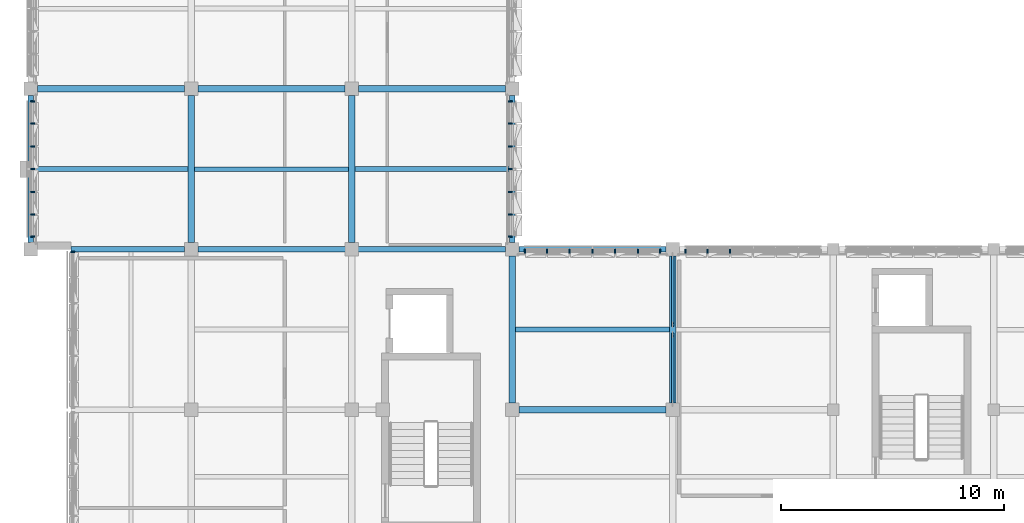
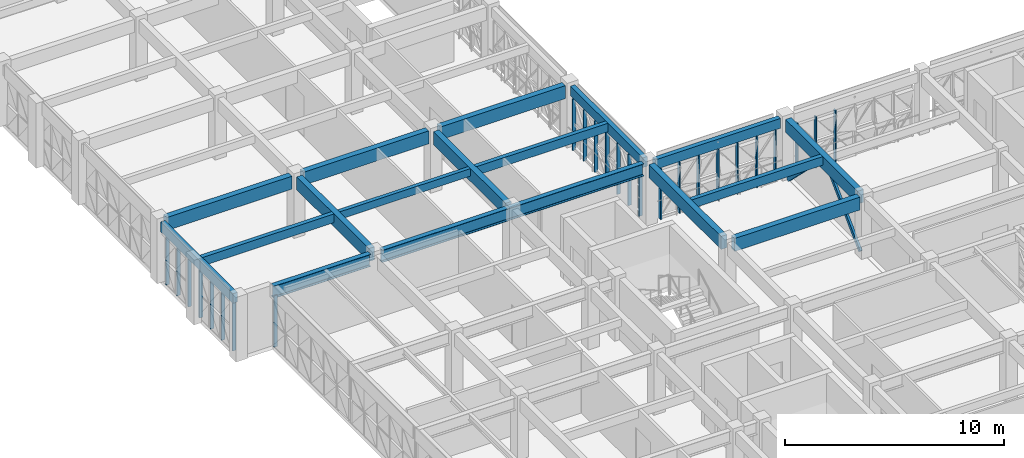
# One storey, part 6 of 74: 27 members, 17 beams, 5 elements without a shape of their own.
"""IFC4 building model written with IfcOpenShell, lengths in metres."""

from ifc_helpers import new_model, si_unit, direction, frame, origin, origin_2d, place, context, subcontext, project, spatial, rectangle, hollow_rectangle, i_section, extrude, material, material_profile, profile_set, type_object, element, aggregate, save


model = new_model("IFC4")

# Units and contexts
model_context = context("Model", 3, precision=1e-05, world=origin(), true_north=direction((0.0, 1.0)))
body_context = subcontext(model_context, "Body", "Model", "MODEL_VIEW")
ifc_project = project(units=[si_unit("LENGTHUNIT", "METRE"), si_unit("AREAUNIT", "SQUARE_METRE"), si_unit("VOLUMEUNIT", "CUBIC_METRE"), si_unit("PLANEANGLEUNIT", "RADIAN"), si_unit("MASSUNIT", "GRAM", prefix="KILO")], contexts=[model_context])

# Site, building, storey
site_placement = place(None, origin())
site = spatial("IfcSite", under=ifc_project, at=site_placement, CompositionType="ELEMENT")
building_placement = place(site_placement, origin())
building = spatial("IfcBuilding", under=site, at=building_placement, Name="Alvorim Cloister Faculty of Sciences", CompositionType="ELEMENT")
storey_placement = place(building_placement, frame((0.0, 0.0, 15.75)))
storey = spatial("IfcBuildingStorey", under=building, at=storey_placement, Name="L04", CompositionType="ELEMENT", Elevation=15.75)

# Beams
ifc_material_1 = material(Name="Glulam GL32h", Category="wood")
ifc_material_profile_1 = material_profile(ifc_material_1, rectangle(XDim=0.300048828125, YDim=0.719970703125, at=origin_2d()), Name="GL32-BM-300x720")
ifc_profile_set_1 = profile_set([ifc_material_profile_1], Name="Glulam GL32h")
beam_type_1 = type_object("IfcBeamType", Name="BM-GL-300x720", PredefinedType="BEAM", material=ifc_profile_set_1)
beam_1_placement = place(storey_placement, frame((21.89990234375, 49.199951171875, 3.030029296875), z_axis=(1.0, 0.0, 0.0), x_axis=(0.0, 1.0, 0.0)))
element("IfcBeam", 1, at=beam_1_placement, inside=storey, type_object=beam_type_1, Name="L04 Primary Beam BM-1762", PredefinedType="BEAM", context=body_context, shape_type="SweptSolid", body=[
    extrude(rectangle(XDim=0.300048828125, YDim=0.719970703125, at=origin_2d()), origin(), (0.0, 0.0, 1.0), 6.60009765625),
])
beam_2_placement = place(storey_placement, frame((0.300048828125, 63.60009765625, 3.030029296875), z_axis=(1.0, 0.0, 0.0), x_axis=(0.0, 1.0, 0.0)))
element("IfcBeam", 2, at=beam_2_placement, inside=storey, type_object=beam_type_1, Name="L04 Primary Beam BM-1771", PredefinedType="BEAM", context=body_context, shape_type="SweptSolid", body=[
    extrude(rectangle(XDim=0.300048828125, YDim=0.719970703125, at=origin_2d()), origin(), (0.0, 0.0, 1.0), 6.599853515625),
])
for number, where, z_axis, x_axis, name in (
    (3, (7.5, 63.60009765625, 3.030029296875), (1.0, 0.0, 0.0), (0.0, 1.0, 0.0), "L04 Primary Beam BM-1772"),
    (4, (14.699951171875, 63.60009765625, 3.030029296875), (1.0, 0.0, 0.0), (0.0, 1.0, 0.0), "L04 Primary Beam BM-1773"),
    (5, (7.199951171875, 56.699951171875, 3.030029296875), (0.0, 1.0, 0.0), (-1.0, 0.0, 0.0), "L04 Primary Girder BM-1810"),
    (6, (14.39990234375, 56.699951171875, 3.030029296875), (0.0, 1.0, 0.0), (-1.0, 0.0, 0.0), "L04 Primary Girder BM-1825"),
    (7, (21.60009765625, 49.5, 3.030029296875), (0.0, 1.0, 0.0), (-1.0, 0.0, 0.0), "L04 Primary Girder BM-1839"),
    (8, (28.800048828125, 49.5, 3.030029296875), (0.0, 1.0, 0.0), (-1.0, 0.0, 0.0), "L04 Primary Girder BM-1854"),
):
    element("IfcBeam", number, at=place(storey_placement, frame(where, z_axis=z_axis, x_axis=x_axis)), inside=storey, type_object=beam_type_1, Name=name, PredefinedType="BEAM", context=body_context, shape_type="SweptSolid", body=[
        extrude(rectangle(XDim=0.300048828125, YDim=0.719970703125, at=origin_2d()), origin(), (0.0, 0.0, 1.0), 6.60009765625),
    ])
ifc_material_2 = material(Name="Glulam GL28h", Category="wood")
ifc_material_profile_2 = material_profile(ifc_material_2, rectangle(XDim=0.199951171875, YDim=0.419921875, at=origin_2d()), Name="GL28-JST-200x420")
ifc_profile_set_2 = profile_set([ifc_material_profile_2], Name="Glulam GL28h")
beam_type_2 = type_object("IfcBeamType", Name="BM-JST-GL-200x420", PredefinedType="JOIST", material=ifc_profile_set_2)
beam_3_placement = place(storey_placement, frame((7.35009765625, 60.0, 3.179931640625), z_axis=(1.0, 0.0, 0.0), x_axis=(0.0, 1.0, 0.0)))
element("IfcBeam", 9, at=beam_3_placement, inside=storey, type_object=beam_type_2, Name="L04 Secondary Floor Joist BM-1906", PredefinedType="JOIST", context=body_context, shape_type="SweptSolid", body=[
    extrude(rectangle(XDim=0.199951171875, YDim=0.419921875, at=origin_2d()), origin(), (0.0, 0.0, 1.0), 6.89990234375),
])
ifc_material_profile_3 = material_profile(ifc_material_2, rectangle(XDim=0.219970703125, YDim=0.47998046875, at=origin_2d()), Name="GL28-JST-220x480")
ifc_profile_set_3 = profile_set([ifc_material_profile_3], Name="Glulam GL28h")
beam_type_3 = type_object("IfcBeamType", Name="BM-JST-GL-220x480", PredefinedType="JOIST", material=ifc_profile_set_3)
for number, where, z_axis, x_axis, name in (
    (10, (0.1201171875, 60.0, 3.14990234375), (1.0, 0.0, 0.0), (0.0, 1.0, 0.0), "L04 Secondary Floor Joist BM-1891"),
    (11, (14.550048828125, 60.0, 3.14990234375), (1.0, 0.0, 0.0), (0.0, 1.0, 0.0), "L04 Secondary Floor Joist BM-1915"),
):
    element("IfcBeam", number, at=place(storey_placement, frame(where, z_axis=z_axis, x_axis=x_axis)), inside=storey, type_object=beam_type_3, Name=name, PredefinedType="JOIST", context=body_context, shape_type="SweptSolid", body=[
        extrude(rectangle(XDim=0.219970703125, YDim=0.47998046875, at=origin_2d()), origin(), (0.0, 0.0, 1.0), 6.929931640625),
    ])
beam_4_placement = place(storey_placement, frame((21.75, 52.800048828125, 3.14990234375), z_axis=(1.0, 0.0, 0.0), x_axis=(0.0, 1.0, 0.0)))
element("IfcBeam", 12, at=beam_4_placement, inside=storey, type_object=beam_type_3, Name="L04 Secondary Floor Joist BM-1929", PredefinedType="JOIST", context=body_context, shape_type="SweptSolid", body=[
    extrude(rectangle(XDim=0.219970703125, YDim=0.47998046875, at=origin_2d()), origin(), (0.0, 0.0, 1.0), 6.89990234375),
])
ifc_material_profile_4 = material_profile(ifc_material_2, rectangle(XDim=0.239990234375, YDim=0.5400390625, at=origin_2d()), Name="GL28-SPD-240x540")
ifc_profile_set_4 = profile_set([ifc_material_profile_4], Name="Glulam GL28h")
beam_type_4 = type_object("IfcBeamType", Name="BM-SPD-GL-240x540", PredefinedType="SPANDREL", material=ifc_profile_set_4)
for number, where, z_axis, x_axis, name in (
    (13, (21.89990234375, 56.39990234375, 3.1201171875), (1.0, 0.0, 0.0), (0.0, 1.0, 0.0), "L04 Primary Beam BM-1766"),
    (14, (0.0, 56.699951171875, 3.1201171875), (0.0, 1.0, 0.0), (-1.0, 0.0, 0.0), "L04 Primary Girder BM-1795"),
    (15, (21.60009765625, 56.699951171875, 3.1201171875), (0.0, 1.0, 0.0), (-1.0, 0.0, 0.0), "L04 Primary Girder BM-1840"),
):
    element("IfcBeam", number, at=place(storey_placement, frame(where, z_axis=z_axis, x_axis=x_axis)), inside=storey, type_object=beam_type_4, Name=name, PredefinedType="SPANDREL", context=body_context, shape_type="SweptSolid", body=[
        extrude(rectangle(XDim=0.239990234375, YDim=0.5400390625, at=origin_2d()), origin(), (0.0, 0.0, 1.0), 6.60009765625),
    ])
ifc_material_3 = material(Name="Steel ASTM A572 Grade 50", Category="steel")
ifc_material_profile_5 = material_profile(ifc_material_3, i_section(OverallWidth=0.25390625, OverallDepth=0.68408203125, WebThickness=0.012451171875, FlangeThickness=0.01904296875, FilletRadius=0.01904296875, at=origin_2d()), Name="W690x140.0")
ifc_profile_set_5 = profile_set([ifc_material_profile_5], Name="Steel ASTM A572 Grade 50")
beam_type_5 = type_object("IfcBeamType", Name="BM-STL-W690", PredefinedType="BEAM", material=ifc_profile_set_5)
beam_5_placement = place(storey_placement, frame((7.5, 56.39990234375, 3.048095703125), z_axis=(1.0, 0.0, 0.0), x_axis=(0.0, 1.0, 0.0)))
element("IfcBeam", 16, at=beam_5_placement, inside=storey, type_object=beam_type_5, Name="L04 Cantilever Backspan Girder BM-0093", PredefinedType="BEAM", context=body_context, shape_type="SweptSolid", body=[
    extrude(i_section(OverallWidth=0.25390625, OverallDepth=0.68408203125, WebThickness=0.012451171875, FlangeThickness=0.01904296875, FilletRadius=0.01904296875, at=origin_2d()), origin(), (0.0, 0.0, 1.0), 13.800048828125),
])
beam_6_placement = place(storey_placement, frame((1.800048828125, 56.39990234375, 3.048095703125), z_axis=(1.0, 0.0, 0.0), x_axis=(0.0, 1.0, 0.0)))
element("IfcBeam", 17, at=beam_6_placement, inside=storey, type_object=beam_type_5, Name="L04 Cantilever Overhang Girder BM-0094", PredefinedType="BEAM", context=body_context, shape_type="SweptSolid", body=[
    extrude(i_section(OverallWidth=0.25390625, OverallDepth=0.68408203125, WebThickness=0.012451171875, FlangeThickness=0.01904296875, FilletRadius=0.01904296875, at=origin_2d()), origin(), (0.0, 0.0, 1.0), 5.099853515625),
])

# Curtain wall, member
ifc_material_4 = material(Name="Aluminium and Low-E Glass Curtain Wall", Category="aluminium")
curtain_wall_type_1 = type_object("IfcCurtainWallType", Name="CW-TRI-7040x2857", PredefinedType="USERDEFINED", material=ifc_material_4)
curtain_wall_1_placement = place(storey_placement, origin())
curtain_wall_1 = element("IfcCurtainWall", 18, at=curtain_wall_1_placement, inside=storey, type_object=curtain_wall_type_1, Name="L04 Diagonal Cassette Curtain Wall CW-0169", ObjectType="UNITISED CURTAIN WALL", PredefinedType="USERDEFINED")
ifc_material_5 = material(Name="Aluminium Alloy 6063-T6", Category="aluminium")
ifc_material_profile_6 = material_profile(ifc_material_5, rectangle(XDim=0.06494140625, YDim=0.179931640625, at=origin_2d()), Name="ALU-MUL-65x180")
ifc_profile_set_6 = profile_set([ifc_material_profile_6], Name="Aluminium Alloy 6063-T6")
member_type_1 = type_object("IfcMemberType", Name="CW-MUL-65x180", PredefinedType="MULLION", material=ifc_profile_set_6)
member_1_placement = place(storey_placement, frame((1.889892578125, 56.28759765625, 0.0), z_axis=(0.0, 0.0, 1.0), x_axis=(0.0, 1.0, 0.0)))
member_1 = element("IfcMember", 19, at=member_1_placement, type_object=member_type_1, Name="CW-0169 Mullion 7", PredefinedType="MULLION", context=body_context, shape_type="SweptSolid", body=[
    extrude(rectangle(XDim=0.06494140625, YDim=0.179931640625, at=origin_2d()), origin(), (0.0, 0.0, 1.0), 2.85693359375),
])
aggregate(curtain_wall_1, [member_1])

# Curtain wall, members
curtain_wall_type_2 = type_object("IfcCurtainWallType", Name="CW-TRI-6120x2850", PredefinedType="USERDEFINED", material=ifc_material_4)
curtain_wall_2_placement = place(storey_placement, origin())
curtain_wall_2 = element("IfcCurtainWall", 20, at=curtain_wall_2_placement, inside=storey, type_object=curtain_wall_type_2, Name="L04 Diagonal Cassette Curtain Wall CW-0170", ObjectType="UNITISED CURTAIN WALL", PredefinedType="USERDEFINED")
member_2_placement = place(storey_placement, frame((0.090087890625, 56.972412109375, 0.0), z_axis=(0.0, 0.0, 1.0), x_axis=(0.0, 1.0, 0.0)))
member_2 = element("IfcMember", 21, at=member_2_placement, type_object=member_type_1, Name="CW-0170 Mullion 1", PredefinedType="MULLION", context=body_context, shape_type="SweptSolid", body=[
    extrude(rectangle(XDim=0.06494140625, YDim=0.179931640625, at=origin_2d()), origin(), (0.0, 0.0, 1.0), 2.85009765625),
])
member_3_placement = place(storey_placement, frame((0.090087890625, 57.9599609375, 0.0), z_axis=(0.0, 0.0, 1.0), x_axis=(0.0, 1.0, 0.0)))
member_3 = element("IfcMember", 22, at=member_3_placement, type_object=member_type_1, Name="CW-0170 Mullion 2", PredefinedType="MULLION", context=body_context, shape_type="SweptSolid", body=[
    extrude(rectangle(XDim=0.06494140625, YDim=0.179931640625, at=origin_2d()), origin(), (0.0, 0.0, 1.0), 2.85009765625),
])
member_4_placement = place(storey_placement, frame((0.090087890625, 58.97998046875, 0.0), z_axis=(0.0, 0.0, 1.0), x_axis=(0.0, 1.0, 0.0)))
member_4 = element("IfcMember", 23, at=member_4_placement, type_object=member_type_1, Name="CW-0170 Mullion 3", PredefinedType="MULLION", context=body_context, shape_type="SweptSolid", body=[
    extrude(rectangle(XDim=0.06494140625, YDim=0.179931640625, at=origin_2d()), origin(), (0.0, 0.0, 1.0), 2.85009765625),
])
member_5_placement = place(storey_placement, frame((0.090087890625, 60.0, 0.0), z_axis=(0.0, 0.0, 1.0), x_axis=(0.0, 1.0, 0.0)))
member_5 = element("IfcMember", 24, at=member_5_placement, type_object=member_type_1, Name="CW-0170 Mullion 4", PredefinedType="MULLION", context=body_context, shape_type="SweptSolid", body=[
    extrude(rectangle(XDim=0.06494140625, YDim=0.179931640625, at=origin_2d()), origin(), (0.0, 0.0, 1.0), 2.85009765625),
])
member_6_placement = place(storey_placement, frame((0.090087890625, 61.02001953125, 0.0), z_axis=(0.0, 0.0, 1.0), x_axis=(0.0, 1.0, 0.0)))
member_6 = element("IfcMember", 25, at=member_6_placement, type_object=member_type_1, Name="CW-0170 Mullion 5", PredefinedType="MULLION", context=body_context, shape_type="SweptSolid", body=[
    extrude(rectangle(XDim=0.06494140625, YDim=0.179931640625, at=origin_2d()), origin(), (0.0, 0.0, 1.0), 2.85009765625),
])
member_7_placement = place(storey_placement, frame((0.090087890625, 62.0400390625, 0.0), z_axis=(0.0, 0.0, 1.0), x_axis=(0.0, 1.0, 0.0)))
member_7 = element("IfcMember", 26, at=member_7_placement, type_object=member_type_1, Name="CW-0170 Mullion 6", PredefinedType="MULLION", context=body_context, shape_type="SweptSolid", body=[
    extrude(rectangle(XDim=0.06494140625, YDim=0.179931640625, at=origin_2d()), origin(), (0.0, 0.0, 1.0), 2.85009765625),
])
member_8_placement = place(storey_placement, frame((0.090087890625, 63.027587890625, 0.0), z_axis=(0.0, 0.0, 1.0), x_axis=(0.0, 1.0, 0.0)))
member_8 = element("IfcMember", 27, at=member_8_placement, type_object=member_type_1, Name="CW-0170 Mullion 7", PredefinedType="MULLION", context=body_context, shape_type="SweptSolid", body=[
    extrude(rectangle(XDim=0.06494140625, YDim=0.179931640625, at=origin_2d()), origin(), (0.0, 0.0, 1.0), 2.85009765625),
])
aggregate(curtain_wall_2, [member_2, member_3, member_4, member_5, member_6, member_7, member_8])

curtain_wall_3_placement = place(storey_placement, origin())
curtain_wall_3 = element("IfcCurtainWall", 28, at=curtain_wall_3_placement, inside=storey, type_object=curtain_wall_type_2, Name="L04 Diagonal Cassette Curtain Wall CW-0188", ObjectType="UNITISED CURTAIN WALL", PredefinedType="USERDEFINED")
member_9_placement = place(storey_placement, frame((21.510009765625, 56.972412109375, 0.0), z_axis=(0.0, 0.0, 1.0), x_axis=(0.0, 1.0, 0.0)))
member_9 = element("IfcMember", 29, at=member_9_placement, type_object=member_type_1, Name="CW-0188 Mullion 1", PredefinedType="MULLION", context=body_context, shape_type="SweptSolid", body=[
    extrude(rectangle(XDim=0.06494140625, YDim=0.179931640625, at=origin_2d()), origin(), (0.0, 0.0, 1.0), 2.85009765625),
])
member_10_placement = place(storey_placement, frame((21.510009765625, 57.9599609375, 0.0), z_axis=(0.0, 0.0, 1.0), x_axis=(0.0, 1.0, 0.0)))
member_10 = element("IfcMember", 30, at=member_10_placement, type_object=member_type_1, Name="CW-0188 Mullion 2", PredefinedType="MULLION", context=body_context, shape_type="SweptSolid", body=[
    extrude(rectangle(XDim=0.06494140625, YDim=0.179931640625, at=origin_2d()), origin(), (0.0, 0.0, 1.0), 2.85009765625),
])
member_11_placement = place(storey_placement, frame((21.510009765625, 58.97998046875, 0.0), z_axis=(0.0, 0.0, 1.0), x_axis=(0.0, 1.0, 0.0)))
member_11 = element("IfcMember", 31, at=member_11_placement, type_object=member_type_1, Name="CW-0188 Mullion 3", PredefinedType="MULLION", context=body_context, shape_type="SweptSolid", body=[
    extrude(rectangle(XDim=0.06494140625, YDim=0.179931640625, at=origin_2d()), origin(), (0.0, 0.0, 1.0), 2.85009765625),
])
member_12_placement = place(storey_placement, frame((21.510009765625, 60.0, 0.0), z_axis=(0.0, 0.0, 1.0), x_axis=(0.0, 1.0, 0.0)))
member_12 = element("IfcMember", 32, at=member_12_placement, type_object=member_type_1, Name="CW-0188 Mullion 4", PredefinedType="MULLION", context=body_context, shape_type="SweptSolid", body=[
    extrude(rectangle(XDim=0.06494140625, YDim=0.179931640625, at=origin_2d()), origin(), (0.0, 0.0, 1.0), 2.85009765625),
])
member_13_placement = place(storey_placement, frame((21.510009765625, 61.02001953125, 0.0), z_axis=(0.0, 0.0, 1.0), x_axis=(0.0, 1.0, 0.0)))
member_13 = element("IfcMember", 33, at=member_13_placement, type_object=member_type_1, Name="CW-0188 Mullion 5", PredefinedType="MULLION", context=body_context, shape_type="SweptSolid", body=[
    extrude(rectangle(XDim=0.06494140625, YDim=0.179931640625, at=origin_2d()), origin(), (0.0, 0.0, 1.0), 2.85009765625),
])
member_14_placement = place(storey_placement, frame((21.510009765625, 62.0400390625, 0.0), z_axis=(0.0, 0.0, 1.0), x_axis=(0.0, 1.0, 0.0)))
member_14 = element("IfcMember", 34, at=member_14_placement, type_object=member_type_1, Name="CW-0188 Mullion 6", PredefinedType="MULLION", context=body_context, shape_type="SweptSolid", body=[
    extrude(rectangle(XDim=0.06494140625, YDim=0.179931640625, at=origin_2d()), origin(), (0.0, 0.0, 1.0), 2.85009765625),
])
member_15_placement = place(storey_placement, frame((21.510009765625, 63.027587890625, 0.0), z_axis=(0.0, 0.0, 1.0), x_axis=(0.0, 1.0, 0.0)))
member_15 = element("IfcMember", 35, at=member_15_placement, type_object=member_type_1, Name="CW-0188 Mullion 7", PredefinedType="MULLION", context=body_context, shape_type="SweptSolid", body=[
    extrude(rectangle(XDim=0.06494140625, YDim=0.179931640625, at=origin_2d()), origin(), (0.0, 0.0, 1.0), 2.85009765625),
])
aggregate(curtain_wall_3, [member_9, member_10, member_11, member_12, member_13, member_14, member_15])

curtain_wall_4_placement = place(storey_placement, origin())
curtain_wall_4 = element("IfcCurtainWall", 36, at=curtain_wall_4_placement, inside=storey, type_object=curtain_wall_type_2, Name="L04 Diagonal Cassette Curtain Wall CW-0189", ObjectType="UNITISED CURTAIN WALL", PredefinedType="USERDEFINED")
member_16_placement = place(storey_placement, frame((22.172607421875, 56.31005859375, 0.0), z_axis=(0.0, 0.0, 1.0), x_axis=(1.0, 0.0, 0.0)))
member_16 = element("IfcMember", 37, at=member_16_placement, type_object=member_type_1, Name="CW-0189 Mullion 1", PredefinedType="MULLION", context=body_context, shape_type="SweptSolid", body=[
    extrude(rectangle(XDim=0.06494140625, YDim=0.179931640625, at=origin_2d()), origin(), (0.0, 0.0, 1.0), 2.85009765625),
])
member_17_placement = place(storey_placement, frame((23.159912109375, 56.31005859375, 0.0), z_axis=(0.0, 0.0, 1.0), x_axis=(1.0, 0.0, 0.0)))
member_17 = element("IfcMember", 38, at=member_17_placement, type_object=member_type_1, Name="CW-0189 Mullion 2", PredefinedType="MULLION", context=body_context, shape_type="SweptSolid", body=[
    extrude(rectangle(XDim=0.06494140625, YDim=0.179931640625, at=origin_2d()), origin(), (0.0, 0.0, 1.0), 2.85009765625),
])
member_18_placement = place(storey_placement, frame((24.179931640625, 56.31005859375, 0.0), z_axis=(0.0, 0.0, 1.0), x_axis=(1.0, 0.0, 0.0)))
member_18 = element("IfcMember", 39, at=member_18_placement, type_object=member_type_1, Name="CW-0189 Mullion 3", PredefinedType="MULLION", context=body_context, shape_type="SweptSolid", body=[
    extrude(rectangle(XDim=0.06494140625, YDim=0.179931640625, at=origin_2d()), origin(), (0.0, 0.0, 1.0), 2.85009765625),
])
member_19_placement = place(storey_placement, frame((25.199951171875, 56.31005859375, 0.0), z_axis=(0.0, 0.0, 1.0), x_axis=(1.0, 0.0, 0.0)))
member_19 = element("IfcMember", 40, at=member_19_placement, type_object=member_type_1, Name="CW-0189 Mullion 4", PredefinedType="MULLION", context=body_context, shape_type="SweptSolid", body=[
    extrude(rectangle(XDim=0.06494140625, YDim=0.179931640625, at=origin_2d()), origin(), (0.0, 0.0, 1.0), 2.85009765625),
])
member_20_placement = place(storey_placement, frame((26.219970703125, 56.31005859375, 0.0), z_axis=(0.0, 0.0, 1.0), x_axis=(1.0, 0.0, 0.0)))
member_20 = element("IfcMember", 41, at=member_20_placement, type_object=member_type_1, Name="CW-0189 Mullion 5", PredefinedType="MULLION", context=body_context, shape_type="SweptSolid", body=[
    extrude(rectangle(XDim=0.06494140625, YDim=0.179931640625, at=origin_2d()), origin(), (0.0, 0.0, 1.0), 2.85009765625),
])
member_21_placement = place(storey_placement, frame((27.239990234375, 56.31005859375, 0.0), z_axis=(0.0, 0.0, 1.0), x_axis=(1.0, 0.0, 0.0)))
member_21 = element("IfcMember", 42, at=member_21_placement, type_object=member_type_1, Name="CW-0189 Mullion 6", PredefinedType="MULLION", context=body_context, shape_type="SweptSolid", body=[
    extrude(rectangle(XDim=0.06494140625, YDim=0.179931640625, at=origin_2d()), origin(), (0.0, 0.0, 1.0), 2.85009765625),
])
member_22_placement = place(storey_placement, frame((28.2275390625, 56.31005859375, 0.0), z_axis=(0.0, 0.0, 1.0), x_axis=(1.0, 0.0, 0.0)))
member_22 = element("IfcMember", 43, at=member_22_placement, type_object=member_type_1, Name="CW-0189 Mullion 7", PredefinedType="MULLION", context=body_context, shape_type="SweptSolid", body=[
    extrude(rectangle(XDim=0.06494140625, YDim=0.179931640625, at=origin_2d()), origin(), (0.0, 0.0, 1.0), 2.85009765625),
])
aggregate(curtain_wall_4, [member_16, member_17, member_18, member_19, member_20, member_21, member_22])

curtain_wall_5_placement = place(storey_placement, origin())
curtain_wall_5 = element("IfcCurtainWall", 44, at=curtain_wall_5_placement, inside=storey, type_object=curtain_wall_type_2, Name="L04 Diagonal Cassette Curtain Wall CW-0190", ObjectType="UNITISED CURTAIN WALL", PredefinedType="USERDEFINED")
member_23_placement = place(storey_placement, frame((29.37255859375, 56.31005859375, 0.0), z_axis=(0.0, 0.0, 1.0), x_axis=(1.0, 0.0, 0.0)))
member_23 = element("IfcMember", 45, at=member_23_placement, type_object=member_type_1, Name="CW-0190 Mullion 1", PredefinedType="MULLION", context=body_context, shape_type="SweptSolid", body=[
    extrude(rectangle(XDim=0.06494140625, YDim=0.179931640625, at=origin_2d()), origin(), (0.0, 0.0, 1.0), 2.85009765625),
])
member_24_placement = place(storey_placement, frame((30.360107421875, 56.31005859375, 0.0), z_axis=(0.0, 0.0, 1.0), x_axis=(1.0, 0.0, 0.0)))
member_24 = element("IfcMember", 46, at=member_24_placement, type_object=member_type_1, Name="CW-0190 Mullion 2", PredefinedType="MULLION", context=body_context, shape_type="SweptSolid", body=[
    extrude(rectangle(XDim=0.06494140625, YDim=0.179931640625, at=origin_2d()), origin(), (0.0, 0.0, 1.0), 2.85009765625),
])
member_25_placement = place(storey_placement, frame((31.3798828125, 56.31005859375, 0.0), z_axis=(0.0, 0.0, 1.0), x_axis=(1.0, 0.0, 0.0)))
member_25 = element("IfcMember", 47, at=member_25_placement, type_object=member_type_1, Name="CW-0190 Mullion 3", PredefinedType="MULLION", context=body_context, shape_type="SweptSolid", body=[
    extrude(rectangle(XDim=0.06494140625, YDim=0.179931640625, at=origin_2d()), origin(), (0.0, 0.0, 1.0), 2.85009765625),
])
aggregate(curtain_wall_5, [member_23, member_24, member_25])

# Members
ifc_material_profile_7 = material_profile(ifc_material_3, hollow_rectangle(XDim=0.1201171875, YDim=0.199951171875, WallThickness=0.010009765625, at=origin_2d()), Name="RHS200x120x10")
ifc_profile_set_7 = profile_set([ifc_material_profile_7], Name="Steel ASTM A572 Grade 50")
member_type_2 = type_object("IfcMemberType", Name="MB-BRC-RHS200", PredefinedType="BRACE", material=ifc_profile_set_7)
for number, where, z_axis, x_axis, name in (
    (48, (28.800048828125, 49.5, 0.0), (0.0, 0.712874886643, 0.701291234791), (-1.0, 0.0, 0.0), "L04 Lateral Chevron Brace MB-0035"),
    (49, (28.800048828125, 56.10009765625, 0.0), (0.0, -0.712874886643, 0.701291234791), (1.0, 0.0, 0.0), "L04 Lateral Chevron Brace MB-0036"),
):
    element("IfcMember", number, at=place(storey_placement, frame(where, z_axis=z_axis, x_axis=x_axis)), inside=storey, type_object=member_type_2, Name=name, PredefinedType="BRACE", context=body_context, shape_type="SweptSolid", body=[
        extrude(hollow_rectangle(XDim=0.1201171875, YDim=0.199951171875, WallThickness=0.010009765625, at=origin_2d()), origin(), (0.0, 0.0, 1.0), 4.320556640625),
    ])

save(model, "model.ifc")
